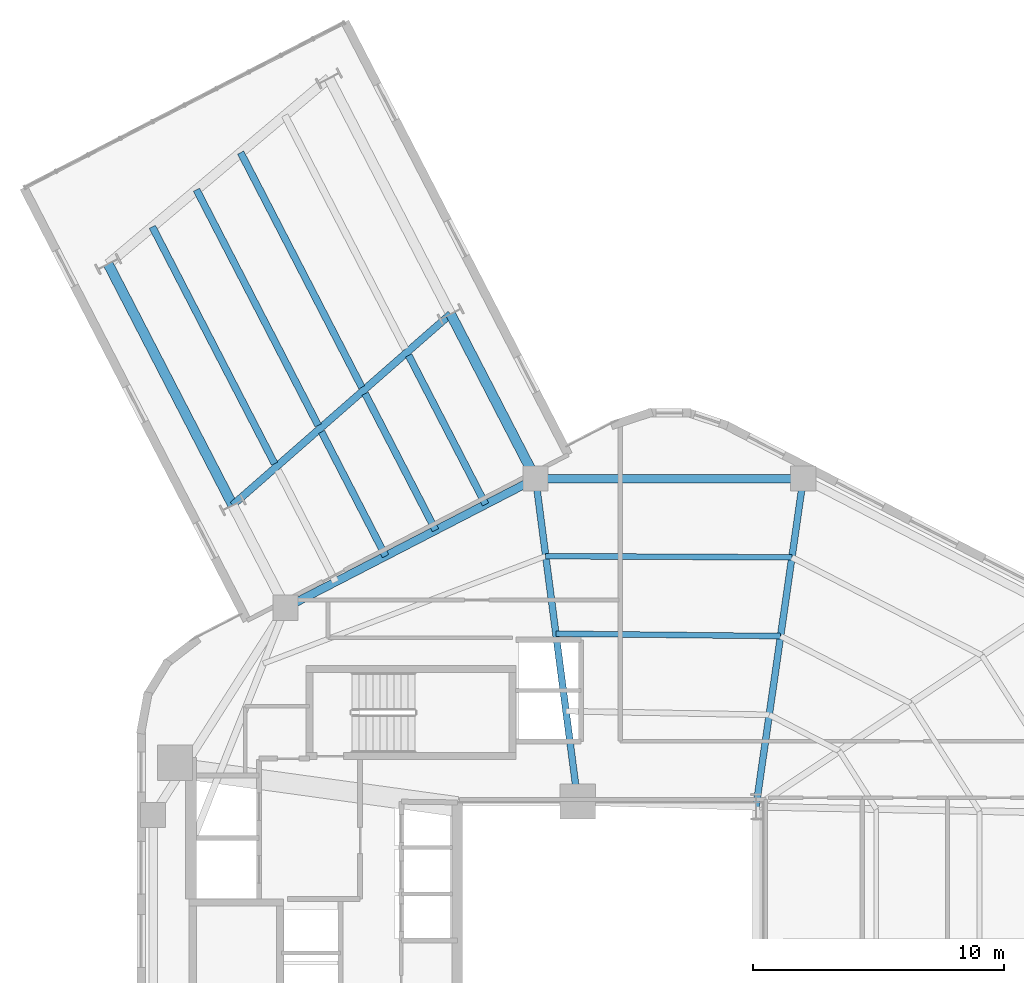
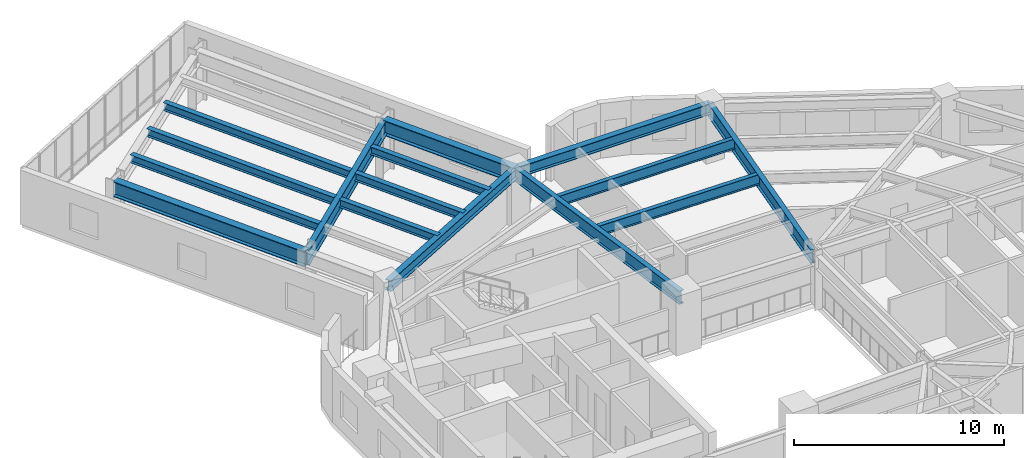
# One storey, part 2 of 10: 15 beams.
"""IFC4 building model written with IfcOpenShell, lengths in metres."""

from ifc_helpers import new_model, si_unit, direction, frame, origin, origin_2d, place, context, subcontext, project, spatial, i_section, extrude, material, material_profile, profile_set, type_object, element, save


model = new_model("IFC4")

# Units and contexts
model_context = context("Model", 3, precision=1e-05, world=origin(), true_north=direction((0.0, 1.0)))
body_context = subcontext(model_context, "Body", "Model", "MODEL_VIEW")
ifc_project = project(units=[si_unit("LENGTHUNIT", "METRE"), si_unit("AREAUNIT", "SQUARE_METRE"), si_unit("VOLUMEUNIT", "CUBIC_METRE"), si_unit("PLANEANGLEUNIT", "RADIAN"), si_unit("MASSUNIT", "GRAM", prefix="KILO"), si_unit("THERMODYNAMICTEMPERATUREUNIT", "KELVIN"), si_unit("POWERUNIT", "WATT")], contexts=[model_context])

# Site, building, storey
site_placement = place(None, origin())
site = spatial("IfcSite", under=ifc_project, at=site_placement, CompositionType="ELEMENT")
building_placement = place(site_placement, origin())
building = spatial("IfcBuilding", under=site, at=building_placement, Name="Skarre Station Tower", CompositionType="ELEMENT")
storey_placement = place(building_placement, frame((0.0, 0.0, 142.949951171875)))
storey = spatial("IfcBuildingStorey", under=building, at=storey_placement, Name="L38", CompositionType="ELEMENT", Elevation=142.949951171875)

# Beams
ifc_material = material(Name="Steel ASTM A992 Grade 50", Category="steel")
ifc_material_profile_1 = material_profile(ifc_material, i_section(OverallWidth=0.26806640625, OverallDepth=0.77001953125, WebThickness=0.01611328125, FlangeThickness=0.02490234375, at=origin_2d()), Name="Steel ASTM A992 Grade 50")
ifc_profile_set_1 = profile_set([ifc_material_profile_1], Name="Steel ASTM A992 Grade 50")
beam_type_1 = type_object("IfcBeamType", Name="Steel Beam W30X132", PredefinedType="BEAM", material=ifc_profile_set_1)
beam_1_placement = place(storey_placement, frame((39.449951171875, 29.35009765625, 2.775146484375), z_axis=(0.142480121776, 0.989797663616, 0.0), x_axis=(-0.989797663616, 0.142480121776, 0.0)))
element("IfcBeam", 1, at=beam_1_placement, inside=storey, type_object=beam_type_1, Name="L38 Radial Floor Girder F0C2", PredefinedType="BEAM", context=body_context, shape_type="SweptSolid", body=[
    extrude(i_section(OverallWidth=0.26806640625, OverallDepth=0.77001953125, WebThickness=0.01611328125, FlangeThickness=0.02490234375, at=origin_2d()), origin(), (0.0, 0.0, 1.0), 13.20263671875),
])
beam_2_placement = place(storey_placement, frame((32.35009765625, 29.550048828125, 2.775146484375), z_axis=(-0.129545878778, 0.991573429097, 0.0), x_axis=(-0.991573429097, -0.129545878778, 0.0)))
element("IfcBeam", 2, at=beam_2_placement, inside=storey, type_object=beam_type_1, Name="L38 Radial Floor Girder F1C1", PredefinedType="BEAM", context=body_context, shape_type="SweptSolid", body=[
    extrude(i_section(OverallWidth=0.26806640625, OverallDepth=0.77001953125, WebThickness=0.01611328125, FlangeThickness=0.02490234375, at=origin_2d()), origin(), (0.0, 0.0, 1.0), 12.977294921875),
])
ifc_material_profile_2 = material_profile(ifc_material, i_section(OverallWidth=0.2919921875, OverallDepth=0.85888671875, WebThickness=0.01708984375, FlangeThickness=0.031005859375, at=origin_2d()), Name="Steel ASTM A992 Grade 50")
ifc_profile_set_2 = profile_set([ifc_material_profile_2], Name="Steel ASTM A992 Grade 50")
beam_type_2 = type_object("IfcBeamType", Name="Steel Beam W33X169", PredefinedType="BEAM", material=ifc_profile_set_2)
beam_3_placement = place(storey_placement, frame((27.283935546875, 48.97607421875, 2.73095703125), z_axis=(-0.752067015166, -0.659086644303, 0.0), x_axis=(0.659086644303, -0.752067015166, 0.0)))
element("IfcBeam", 3, at=beam_3_placement, inside=storey, type_object=beam_type_2, Name="L38 SB-3 Mid Transverse Girder", PredefinedType="BEAM", context=body_context, shape_type="SweptSolid", body=[
    extrude(i_section(OverallWidth=0.2919921875, OverallDepth=0.85888671875, WebThickness=0.01708984375, FlangeThickness=0.031005859375, at=origin_2d()), origin(), (0.0, 0.0, 1.0), 11.5478515625),
])
ifc_material_profile_3 = material_profile(ifc_material, i_section(OverallWidth=0.40087890625, OverallDepth=0.876953125, WebThickness=0.02197265625, FlangeThickness=0.0400390625, at=origin_2d()), Name="Steel ASTM A992 Grade 50")
ifc_profile_set_3 = profile_set([ifc_material_profile_3], Name="Steel ASTM A992 Grade 50")
beam_type_3 = type_object("IfcBeamType", Name="Steel Beam W33X263", PredefinedType="BEAM", material=ifc_profile_set_3)
beam_4_placement = place(storey_placement, frame((30.6689453125, 42.41796875, 2.72216796875), z_axis=(-0.45866230048, 0.88861065384, 0.0), x_axis=(-0.88861065384, -0.45866230048, 0.0)))
element("IfcBeam", 4, at=beam_4_placement, inside=storey, type_object=beam_type_3, Name="L38 SB-3 Side 1 Inner Girder", PredefinedType="BEAM", context=body_context, shape_type="SweptSolid", body=[
    extrude(i_section(OverallWidth=0.40087890625, OverallDepth=0.876953125, WebThickness=0.02197265625, FlangeThickness=0.0400390625, at=origin_2d()), origin(), (0.0, 0.0, 1.0), 7.380126953125),
])
beam_5_placement = place(storey_placement, frame((18.59912109375, 41.364990234375, 2.72216796875), z_axis=(-0.458686644601, 0.888598088038, 0.0), x_axis=(-0.888598088038, -0.458686644601, 0.0)))
element("IfcBeam", 5, at=beam_5_placement, inside=storey, type_object=beam_type_3, Name="L38 SB-3 Side 2 Outer Girder", PredefinedType="BEAM", context=body_context, shape_type="SweptSolid", body=[
    extrude(i_section(OverallWidth=0.40087890625, OverallDepth=0.876953125, WebThickness=0.02197265625, FlangeThickness=0.0400390625, at=origin_2d()), origin(), (0.0, 0.0, 1.0), 10.80908203125),
])
ifc_material_profile_4 = material_profile(ifc_material, i_section(OverallWidth=0.280029296875, OverallDepth=0.462890625, WebThickness=0.010986328125, FlangeThickness=0.01708984375, at=origin_2d()), Name="Steel ASTM A992 Grade 50")
ifc_profile_set_4 = profile_set([ifc_material_profile_4], Name="Steel ASTM A992 Grade 50")
beam_type_4 = type_object("IfcBeamType", Name="Steel Joist W18X76", PredefinedType="JOIST", material=ifc_profile_set_4)
beam_6_placement = place(storey_placement, frame((28.677001953125, 41.389892578125, 2.928955078125), z_axis=(-0.458667124225, 0.888608164016, 0.0), x_axis=(-0.888608164016, -0.458667124225, 0.0)))
element("IfcBeam", 6, at=beam_6_placement, inside=storey, type_object=beam_type_4, Name="L38 SB-3 Inner Deck Joist 1", PredefinedType="JOIST", context=body_context, shape_type="SweptSolid", body=[
    extrude(i_section(OverallWidth=0.280029296875, OverallDepth=0.462890625, WebThickness=0.010986328125, FlangeThickness=0.01708984375, at=origin_2d()), origin(), (0.0, 0.0, 1.0), 6.68017578125),
])
beam_7_placement = place(storey_placement, frame((26.68505859375, 40.362060546875, 2.928955078125), z_axis=(-0.458689630603, 0.888596546683, 0.0), x_axis=(-0.888596546683, -0.458689630603, 0.0)))
element("IfcBeam", 7, at=beam_7_placement, inside=storey, type_object=beam_type_4, Name="L38 SB-3 Inner Deck Joist 2", PredefinedType="JOIST", context=body_context, shape_type="SweptSolid", body=[
    extrude(i_section(OverallWidth=0.280029296875, OverallDepth=0.462890625, WebThickness=0.010986328125, FlangeThickness=0.01708984375, at=origin_2d()), origin(), (0.0, 0.0, 1.0), 6.1240234375),
])
beam_8_placement = place(storey_placement, frame((23.743896484375, 46.06005859375, 2.928955078125), z_axis=(-0.458695526127, 0.888593503415, 0.0), x_axis=(-0.888593503415, -0.458695526127, 0.0)))
element("IfcBeam", 8, at=beam_8_placement, inside=storey, type_object=beam_type_4, Name="L38 SB-3 Outer Deck Joist 2", PredefinedType="JOIST", context=body_context, shape_type="SweptSolid", body=[
    extrude(i_section(OverallWidth=0.280029296875, OverallDepth=0.462890625, WebThickness=0.010986328125, FlangeThickness=0.01708984375, at=origin_2d()), origin(), (0.0, 0.0, 1.0), 10.52099609375),
])
beam_9_placement = place(storey_placement, frame((24.693115234375, 39.3330078125, 2.928955078125), z_axis=(-0.458698759965, 0.888591834087, 0.0), x_axis=(-0.888591834087, -0.458698759965, 0.0)))
element("IfcBeam", 9, at=beam_9_placement, inside=storey, type_object=beam_type_4, Name="L38 SB-3 Inner Deck Joist 3", PredefinedType="JOIST", context=body_context, shape_type="SweptSolid", body=[
    extrude(i_section(OverallWidth=0.280029296875, OverallDepth=0.462890625, WebThickness=0.010986328125, FlangeThickness=0.01708984375, at=origin_2d()), origin(), (0.0, 0.0, 1.0), 5.568359375),
])
beam_10_placement = place(storey_placement, frame((22.007080078125, 44.537109375, 2.928955078125), z_axis=(-0.458698227209, 0.8885921091, 0.0), x_axis=(-0.8885921091, -0.458698227209, 0.0)))
element("IfcBeam", 10, at=beam_10_placement, inside=storey, type_object=beam_type_4, Name="L38 SB-3 Outer Deck Joist 3", PredefinedType="JOIST", context=body_context, shape_type="SweptSolid", body=[
    extrude(i_section(OverallWidth=0.280029296875, OverallDepth=0.462890625, WebThickness=0.010986328125, FlangeThickness=0.01708984375, at=origin_2d()), origin(), (0.0, 0.0, 1.0), 10.5693359375),
])
beam_11_placement = place(storey_placement, frame((20.27001953125, 43.014892578125, 2.928955078125), z_axis=(-0.458673375905, 0.888604937098, 0.0), x_axis=(-0.888604937098, -0.458673375905, 0.0)))
element("IfcBeam", 11, at=beam_11_placement, inside=storey, type_object=beam_type_4, Name="L38 SB-3 Outer Deck Joist 4", PredefinedType="JOIST", context=body_context, shape_type="SweptSolid", body=[
    extrude(i_section(OverallWidth=0.280029296875, OverallDepth=0.462890625, WebThickness=0.010986328125, FlangeThickness=0.01708984375, at=origin_2d()), origin(), (0.0, 0.0, 1.0), 10.617919921875),
])
ifc_material_profile_5 = material_profile(ifc_material, i_section(OverallWidth=0.22802734375, OverallDepth=0.60791015625, WebThickness=0.010986328125, FlangeThickness=0.01708984375, at=origin_2d()), Name="Steel ASTM A992 Grade 50")
ifc_profile_set_5 = profile_set([ifc_material_profile_5], Name="Steel ASTM A992 Grade 50")
beam_type_5 = type_object("IfcBeamType", Name="Steel Joist W24X76", PredefinedType="JOIST", material=ifc_profile_set_5)
beam_12_placement = place(storey_placement, frame((40.427978515625, 36.14501953125, 2.85595703125), z_axis=(-0.999942566282, 0.010717468802, 0.0), x_axis=(-0.010717468802, -0.999942566282, 0.0)))
element("IfcBeam", 12, at=beam_12_placement, inside=storey, type_object=beam_type_5, Name="L38 Secondary Floor Joist 5", PredefinedType="JOIST", context=body_context, shape_type="SweptSolid", body=[
    extrude(i_section(OverallWidth=0.22802734375, OverallDepth=0.60791015625, WebThickness=0.010986328125, FlangeThickness=0.01708984375, at=origin_2d()), origin(), (0.0, 0.0, 1.0), 8.952392578125),
])
beam_13_placement = place(storey_placement, frame((40.8798828125, 39.281982421875, 2.85595703125), z_axis=(-0.999987976633, 0.004903732143, 0.0), x_axis=(-0.004903732143, -0.999987976633, 0.0)))
element("IfcBeam", 13, at=beam_13_placement, inside=storey, type_object=beam_type_5, Name="L38 Secondary Floor Joist 6", PredefinedType="JOIST", context=body_context, shape_type="SweptSolid", body=[
    extrude(i_section(OverallWidth=0.22802734375, OverallDepth=0.60791015625, WebThickness=0.010986328125, FlangeThickness=0.01708984375, at=origin_2d()), origin(), (0.0, 0.0, 1.0), 9.807861328125),
])
ifc_material_profile_6 = material_profile(ifc_material, i_section(OverallWidth=0.327880859375, OverallDepth=0.6279296875, WebThickness=0.01708984375, FlangeThickness=0.028076171875, at=origin_2d()), Name="Steel ASTM A992 Grade 50")
ifc_profile_set_6 = profile_set([ifc_material_profile_6], Name="Steel ASTM A992 Grade 50")
beam_type_6 = type_object("IfcBeamType", Name="Steel Spandrel W24X146", PredefinedType="SPANDREL", material=ifc_profile_set_6)
beam_14_placement = place(storey_placement, frame((41.3310546875, 42.41796875, 2.845947265625), z_axis=(-1.0, 0.0, 0.0), x_axis=(0.0, -1.0, 0.0)))
element("IfcBeam", 14, at=beam_14_placement, inside=storey, type_object=beam_type_6, Name="L38 Facet Spandrel Beam 2", PredefinedType="SPANDREL", context=body_context, shape_type="SweptSolid", body=[
    extrude(i_section(OverallWidth=0.327880859375, OverallDepth=0.6279296875, WebThickness=0.01708984375, FlangeThickness=0.028076171875, at=origin_2d()), origin(), (0.0, 0.0, 1.0), 10.662109375),
])
beam_15_placement = place(storey_placement, frame((30.6689453125, 42.41796875, 2.845947265625), z_axis=(-0.888611779493, -0.458660119639, 0.0), x_axis=(0.458660119639, -0.888611779493, 0.0)))
element("IfcBeam", 15, at=beam_15_placement, inside=storey, type_object=beam_type_6, Name="L38 Facet Spandrel Beam 3", PredefinedType="SPANDREL", context=body_context, shape_type="SweptSolid", body=[
    extrude(i_section(OverallWidth=0.327880859375, OverallDepth=0.6279296875, WebThickness=0.01708984375, FlangeThickness=0.028076171875, at=origin_2d()), origin(), (0.0, 0.0, 1.0), 11.20849609375),
])

save(model, "model.ifc")
